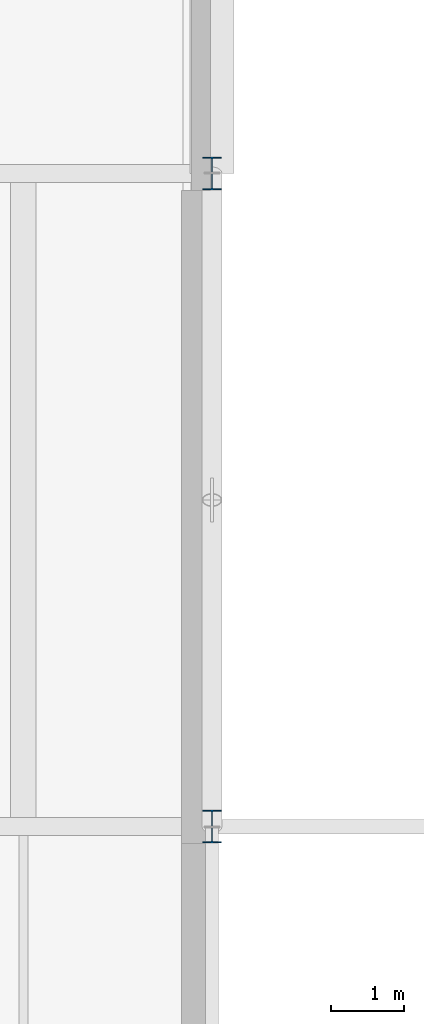
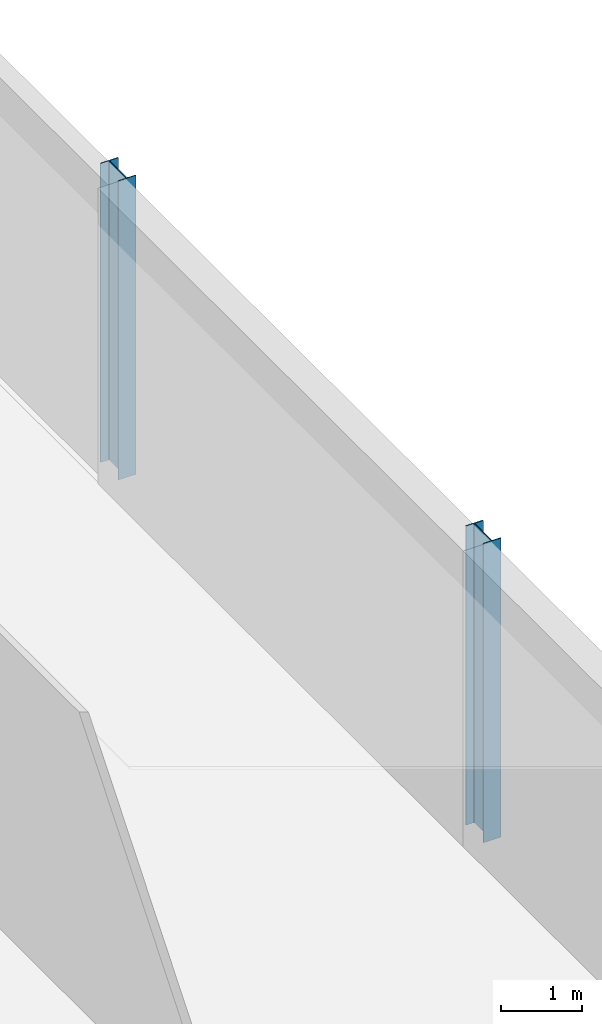
# One storey, part 4 of 38: 2 columns.
"""IFC4 building model written with IfcOpenShell, lengths in metres."""

import ifcopenshell
import ifcopenshell.guid

model = None  # the IFC model being written
_history = None  # IfcOwnerHistory: only IFC2X3 demands one
_inside = {}  # id of a spatial element -> (the spatial element, [elements in it])
_under = {}  # id of a project, library or spatial element -> (it, [spatial elements below it])
_declared = {}  # id of a project -> (the project, [libraries it declares])
_typed = {}  # id of a type object -> (the type object, [elements of that type])
_made_of = {}  # id of a material, layer set ... -> (it, [elements and type objects made of it])


def new_model(schema):
    """Start an empty IFC model of exactly this schema.

    Asked for "IFC4X3", IfcOpenShell would pick the latest addendum, in which some entities
    have other attributes; the version numbers below select the first issue.
    IFC2X3 requires an IfcOwnerHistory on every rooted entity: one is made here for all.
    """
    global model, _history
    if schema == "IFC4X3":
        model = ifcopenshell.file(schema_version=(4, 3, 0, 0))
    else:
        model = ifcopenshell.file(schema=schema)
    _inside.clear()
    _under.clear()
    _declared.clear()
    _typed.clear()
    _made_of.clear()
    _history = None
    if model.schema == "IFC2X3":
        org = make("IfcOrganization", Name="unknown")
        user = make(
            "IfcPersonAndOrganization",
            ThePerson=make("IfcPerson", FamilyName="unknown"),
            TheOrganization=org,
        )
        app = make(
            "IfcApplication",
            ApplicationDeveloper=org,
            Version="unknown",
            ApplicationFullName="unknown",
            ApplicationIdentifier="unknown",
        )
        _history = make(
            "IfcOwnerHistory",
            OwningUser=user,
            OwningApplication=app,
            ChangeAction="ADDED",
            CreationDate=0,
        )
    return model


def make(cls, **values):
    """One entity of the class cls with the attributes given. An attribute that is None is left unset."""
    return model.create_entity(
        cls, **{name: value for name, value in values.items() if value is not None}
    )


def rooted(cls, **values):
    """An entity with a GlobalId (a new one), such as an element, a storey or a relation."""
    return make(cls, GlobalId=ifcopenshell.guid.new(), OwnerHistory=_history, **values)


def si_unit(unit_type, name, prefix=None):
    """IfcSIUnit, for example si_unit("LENGTHUNIT", "METRE", prefix="MILLI")."""
    return make("IfcSIUnit", UnitType=unit_type, Prefix=prefix, Name=name)


def derived_unit(unit_type, elements):
    """IfcDerivedUnit: a product of units, each with its exponent."""
    return make(
        "IfcDerivedUnit",
        Elements=[
            make("IfcDerivedUnitElement", Unit=unit, Exponent=power)
            for unit, power in elements
        ],
        UnitType=unit_type,
    )


def assignment(units):
    """IfcUnitAssignment: the units of a project."""
    return None if units is None else make("IfcUnitAssignment", Units=units)


def point(xyz):
    """IfcCartesianPoint."""
    return None if xyz is None else make("IfcCartesianPoint", Coordinates=xyz)


def direction(xyz):
    """IfcDirection."""
    return None if xyz is None else make("IfcDirection", DirectionRatios=xyz)


def frame(location, z_axis=None, x_axis=None):
    """IfcAxis2Placement3D, a coordinate frame: its origin and axes. An axis left out is left unset."""
    return make(
        "IfcAxis2Placement3D",
        Location=point(location),
        Axis=direction(z_axis),
        RefDirection=direction(x_axis),
    )


def frame_2d(location, x_axis=None):
    """IfcAxis2Placement2D, a coordinate frame in the plane: its origin and x axis."""
    return make(
        "IfcAxis2Placement2D", Location=point(location), RefDirection=direction(x_axis)
    )


def origin():
    """The frame at (0, 0, 0) with its axes left unset."""
    return frame((0.0, 0.0, 0.0))


def origin_2d():
    """The frame at (0, 0) in the plane with its x axis left unset."""
    return frame_2d((0.0, 0.0))


def place(relative_to, where):
    """IfcLocalPlacement: puts the frame where relative to a parent placement (None: the world)."""
    return make(
        "IfcLocalPlacement", PlacementRelTo=relative_to, RelativePlacement=where
    )


def context(
    kind, dimensions, precision=None, world=None, true_north=None, identifier=None
):
    """IfcGeometricRepresentationContext, for example the 3D "Model" context."""
    return make(
        "IfcGeometricRepresentationContext",
        ContextIdentifier=identifier,
        ContextType=kind,
        CoordinateSpaceDimension=dimensions,
        Precision=precision,
        WorldCoordinateSystem=world,
        TrueNorth=true_north,
    )


def subcontext(parent, identifier, kind, view, scale=None):
    """IfcGeometricRepresentationSubContext, for example "Body" below "Model"."""
    return make(
        "IfcGeometricRepresentationSubContext",
        ContextIdentifier=identifier,
        ContextType=kind,
        ParentContext=parent,
        TargetScale=scale,
        TargetView=view,
    )


def project(units=None, contexts=None):
    """IfcProject with its units and contexts."""
    return rooted(
        "IfcProject",
        Name="project",
        RepresentationContexts=contexts,
        UnitsInContext=assignment(units),
    )


def spatial(cls, under=None, at=None, **own):
    """A site, building, storey or space (cls), placed at a placement, below another one or the project."""
    s = rooted(cls, ObjectPlacement=at, **own)
    if under is not None:
        _under.setdefault(under.id(), (under, []))[1].append(s)
    return s


def profile(cls, at=None, kind="AREA", **sizes):
    """A parametric profile (cls). Its sizes go by their IFC names, for example OverallWidth=200.0."""
    return make(cls, ProfileType=kind, Position=at, **sizes)


def i_section(**sizes):
    """IfcIShapeProfileDef."""
    return profile("IfcIShapeProfileDef", **sizes)


def extrude(swept, where, along, depth):
    """IfcExtrudedAreaSolid: the profile swept, set in the frame where, extruded along a direction by depth."""
    return make(
        "IfcExtrudedAreaSolid",
        SweptArea=swept,
        Position=where,
        ExtrudedDirection=direction(along),
        Depth=depth,
    )


def shape(context_of_items, identifier, shape_type, items):
    """IfcShapeRepresentation: the items that make up one representation, for example the "Body"."""
    return make(
        "IfcShapeRepresentation",
        ContextOfItems=context_of_items,
        RepresentationIdentifier=identifier,
        RepresentationType=shape_type,
        Items=items,
    )


def material(Name=None, Category=None):
    """IfcMaterial."""
    return make("IfcMaterial", Name=Name, Category=Category)


def material_profile(
    of_material, cross_section, Name=None, Category=None, Priority=None
):
    """IfcMaterialProfile: a cross section and its material."""
    return make(
        "IfcMaterialProfile",
        Name=Name,
        Material=of_material,
        Profile=cross_section,
        Priority=Priority,
        Category=Category,
    )


def profile_set(profiles, Name=None, composite=None):
    """IfcMaterialProfileSet."""
    return make(
        "IfcMaterialProfileSet",
        Name=Name,
        MaterialProfiles=profiles,
        CompositeProfile=composite,
    )


def made_of(thing, what):
    """Note that an element or type object is made of a material, layer set ...; save() writes the relation."""
    if what is not None:
        _made_of.setdefault(what.id(), (what, []))[1].append(thing)
    return thing


def type_object(cls, material=None, **own):
    """A type object (cls), such as IfcWallType, which elements share."""
    return made_of(rooted(cls, **own), material)


def element(
    cls,
    number,
    at=None,
    inside=None,
    cuts=None,
    type_object=None,
    material=None,
    context=None,
    identifier="Body",
    shape_type=None,
    held_by="IfcProductDefinitionShape",
    body=None,
    shapes=None,
    **own,
):
    """One element of the class cls, such as IfcWall. Its Tag is "e" and its number.

    at: its placement. inside: the storey or other place that contains it. cuts: it is an
    opening in that element (IfcRelVoidsElement). A single representation is given by context,
    identifier, shape_type and body (its items); several are given by shapes. held_by: the class
    of the entity that holds the representations. save() writes the other relations.
    """
    e = rooted(cls, Tag="e%d" % number, ObjectPlacement=at, **own)
    if body is not None:
        shapes = [shape(context, identifier, shape_type, body)]
    if shapes is not None:
        e.Representation = make(held_by, Representations=shapes)
    if inside is not None:
        _inside.setdefault(inside.id(), (inside, []))[1].append(e)
    if cuts is not None:
        rooted(
            "IfcRelVoidsElement", RelatingBuildingElement=cuts, RelatedOpeningElement=e
        )
    if type_object is not None:
        _typed.setdefault(type_object.id(), (type_object, []))[1].append(e)
    return made_of(e, material)


def aggregate(whole, parts):
    """IfcRelAggregates: a whole, such as a stair, and the parts it consists of."""
    return rooted("IfcRelAggregates", RelatingObject=whole, RelatedObjects=parts)


def save(model, path):
    """Write the relations noted so far, then the file.

    IfcRelAggregates (storeys below a building ...), IfcRelContainedInSpatialStructure (elements
    in a storey), IfcRelDefinesByType, IfcRelAssociatesMaterial and IfcRelDeclares: one each for
    every whole, place, type object, material and project.
    """
    for whole, parts in _under.values():
        aggregate(whole, parts)
    for where, things in _inside.values():
        rooted(
            "IfcRelContainedInSpatialStructure",
            RelatedElements=things,
            RelatingStructure=where,
        )
    for kind, things in _typed.values():
        rooted("IfcRelDefinesByType", RelatedObjects=things, RelatingType=kind)
    for what, things in _made_of.values():
        rooted("IfcRelAssociatesMaterial", RelatedObjects=things, RelatingMaterial=what)
    for by, libraries in _declared.values():
        rooted("IfcRelDeclares", RelatingContext=by, RelatedDefinitions=libraries)
    model.write(path)


model = new_model("IFC4")

# Units and contexts
model_context = context("Model", 3, precision=1e-05, world=origin(), true_north=direction((0.0, 1.0)))
body_context = subcontext(model_context, "Body", "Model", "MODEL_VIEW")
ifc_project = project(units=[si_unit("LENGTHUNIT", "METRE"), si_unit("AREAUNIT", "SQUARE_METRE"), si_unit("VOLUMEUNIT", "CUBIC_METRE"), si_unit("PLANEANGLEUNIT", "RADIAN"), si_unit("MASSUNIT", "GRAM", prefix="KILO"), derived_unit("THERMALTRANSMITTANCEUNIT", [(si_unit("POWERUNIT", "WATT"), 1), (si_unit("LENGTHUNIT", "METRE"), -2), (si_unit("THERMODYNAMICTEMPERATUREUNIT", "KELVIN"), -1)])], contexts=[model_context])

# Site, building, storey
site_placement = place(None, origin())
site = spatial("IfcSite", under=ifc_project, at=site_placement, CompositionType="ELEMENT")
building_placement = place(site_placement, origin())
building = spatial("IfcBuilding", under=site, at=building_placement, Name="Nallur Shell Playhouse", CompositionType="ELEMENT")
storey_placement = place(building_placement, frame((0.0, 0.0, 24.300048828125)))
storey = spatial("IfcBuildingStorey", under=building, at=storey_placement, Name="L06", CompositionType="ELEMENT", Elevation=24.300048828125)

# Columns
ifc_material = material(Name="Steel E350", Category="steel")
ifc_material_profile = material_profile(ifc_material, i_section(OverallWidth=0.25, OverallDepth=0.449951171875, WebThickness=0.01123046875, FlangeThickness=0.013671875, FilletRadius=0.014892578125, at=origin_2d()), Name="ISHB 450")
ifc_profile_set = profile_set([ifc_material_profile], Name="Steel E350")
column_type = type_object("IfcColumnType", Name="CL-ST-ISHB450", PredefinedType="COLUMN", material=ifc_profile_set)
for number, where, z_axis, x_axis, name in (
    (1, (103.0, 56.0, 0.0), (0.0, 0.0, 1.0), (1.0, 0.0, 0.0), "Column 13-G (L06)"),
    (2, (103.0, 65.0, 0.0), (0.0, 0.0, 1.0), (1.0, 0.0, 0.0), "Column 13-H (L06)"),
):
    element("IfcColumn", number, at=place(storey_placement, frame(where, z_axis=z_axis, x_axis=x_axis)), inside=storey, type_object=column_type, Name=name, PredefinedType="COLUMN", context=body_context, shape_type="SweptSolid", body=[
        extrude(i_section(OverallWidth=0.25, OverallDepth=0.449951171875, WebThickness=0.01123046875, FlangeThickness=0.013671875, FilletRadius=0.014892578125, at=origin_2d()), origin(), (0.0, 0.0, 1.0), 4.5),
    ])

save(model, "model.ifc")
